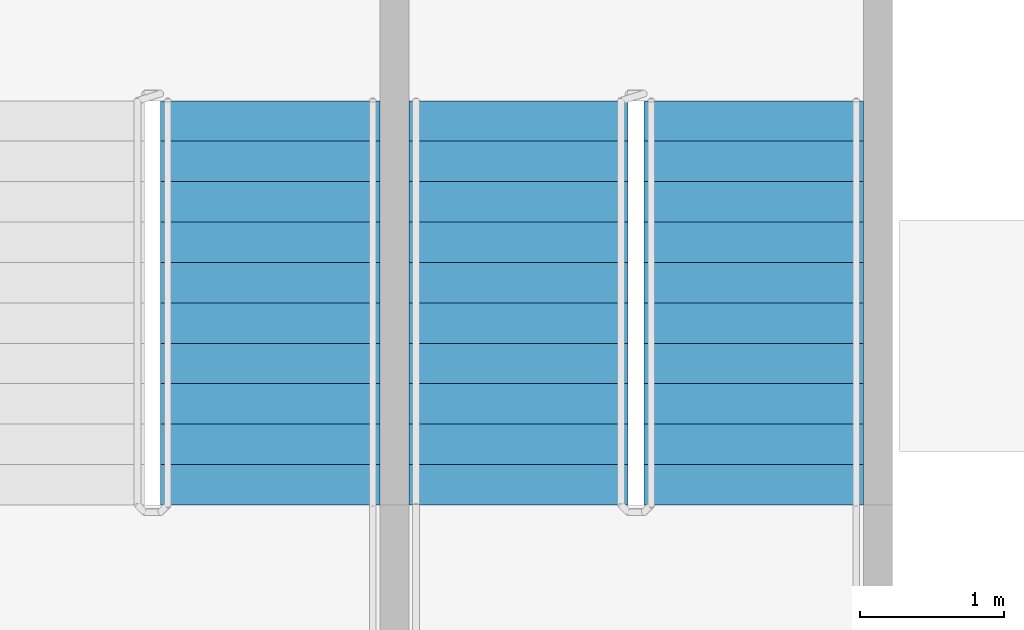
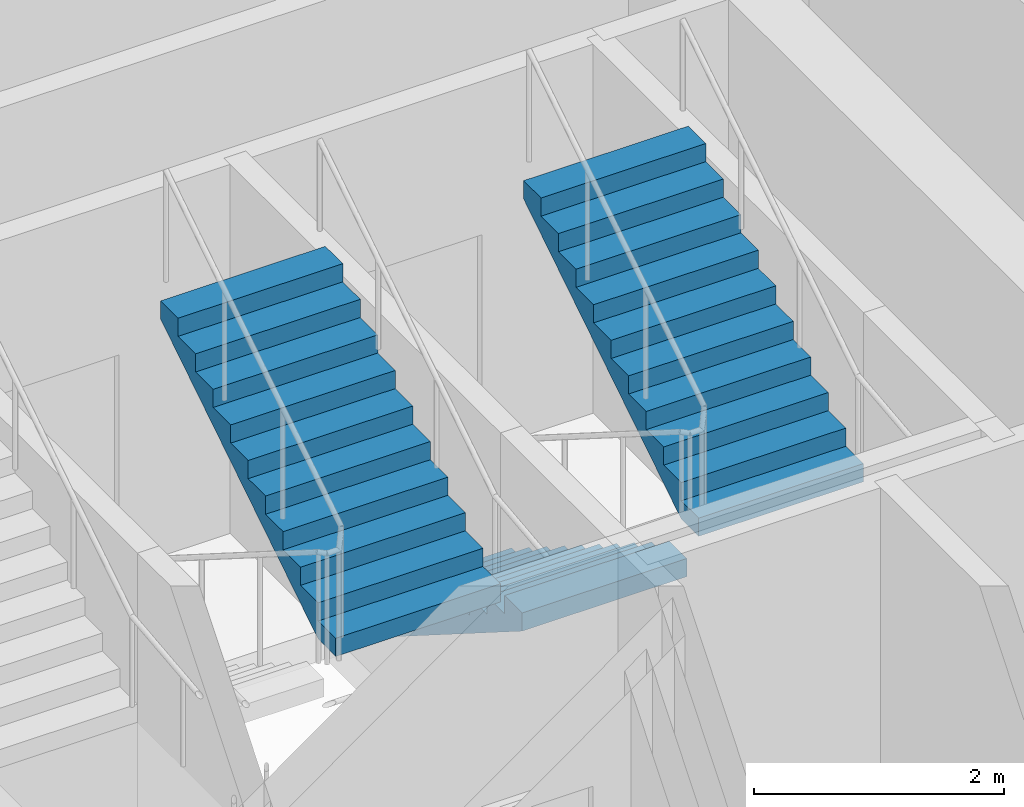
# One storey, part 12 of 14: 3 stair flights, 2 elements without a shape of their own.
"""IFC4 building model written with IfcOpenShell, lengths in metres."""

from ifc_helpers import new_model, si_unit, direction, frame, origin, place, context, subcontext, project, spatial, polyline, outline, extrude, material, type_object, element, aggregate, save


model = new_model("IFC4")

# Units and contexts
model_context = context("Model", 3, precision=1e-05, world=origin(), true_north=direction((0.0, 1.0)))
body_context = subcontext(model_context, "Body", "Model", "MODEL_VIEW")
ifc_project = project(units=[si_unit("LENGTHUNIT", "METRE"), si_unit("AREAUNIT", "SQUARE_METRE"), si_unit("VOLUMEUNIT", "CUBIC_METRE"), si_unit("PLANEANGLEUNIT", "RADIAN"), si_unit("MASSUNIT", "GRAM", prefix="KILO")], contexts=[model_context])

# Site, building, storey
site_placement = place(None, origin())
site = spatial("IfcSite", under=ifc_project, at=site_placement, CompositionType="ELEMENT")
building_placement = place(site_placement, origin())
building = spatial("IfcBuilding", under=site, at=building_placement, Name="Tessera Arch", CompositionType="ELEMENT")
storey_placement = place(building_placement, frame((0.0, 0.0, 138.800048828125)))
storey = spatial("IfcBuildingStorey", under=building, at=storey_placement, Name="L32", CompositionType="ELEMENT", Elevation=138.800048828125)

# Stair, stair flight
ifc_material_1 = material(Name="Concrete C40/50", Category="concrete")
stair_type = type_object("IfcStairType", Name="Dogleg stair 1520", PredefinedType="HALF_TURN_STAIR", material=ifc_material_1)
stair_1_placement = place(storey_placement, origin())
stair_1 = element("IfcStair", 1, at=stair_1_placement, inside=storey, type_object=stair_type, Name="L32 S1b", PredefinedType="HALF_TURN_STAIR")
ifc_material_2 = material(Name="Concrete C40/50", Category="concrete")
stair_flight_type = type_object("IfcStairFlightType", Name="Stair flight 1520", PredefinedType="STRAIGHT", material=ifc_material_2)
stair_flight_1_placement = place(storey_placement, frame((42.43994140625, 40.780029296875, 1.949951171875), z_axis=(0.0, 0.0, 1.0), x_axis=(0.0, 1.0, 0.0)))
stair_flight_1 = element("IfcStairFlight", 2, at=stair_flight_1_placement, type_object=stair_flight_type, Name="S1b flight 2", NumberOfRisers=11, NumberOfTreads=10, PredefinedType="STRAIGHT", RiserHeight=0.177272727, TreadLength=0.28, context=body_context, shape_type="SweptSolid", body=[
    extrude(outline(polyline([(0.0, 0.0), (0.0, 0.17724609375), (0.280029296875, 0.17724609375), (0.280029296875, 0.3544921875), (0.56005859375, 0.3544921875), (0.56005859375, 0.53173828125), (0.840087890625, 0.53173828125), (0.840087890625, 0.708984375), (1.1201171875, 0.708984375), (1.1201171875, 0.886474609375), (1.39990234375, 0.886474609375), (1.39990234375, 1.063720703125), (1.679931640625, 1.063720703125), (1.679931640625, 1.240966796875), (1.9599609375, 1.240966796875), (1.9599609375, 1.418212890625), (2.239990234375, 1.418212890625), (2.239990234375, 1.595458984375), (2.52001953125, 1.595458984375), (2.52001953125, 1.772705078125), (2.800048828125, 1.772705078125), (2.800048828125, 1.949951171875), (2.800048828125, 1.59521484375), (0.2802734375, 0.0), (0.0, 0.0)])), frame((0.0, 0.760009765625, 0.0), z_axis=(0.0, -1.0, 0.0), x_axis=(1.0, 0.0, 0.0)), (0.0, 0.0, 1.0), 1.52001953125),
])
aggregate(stair_1, [stair_flight_1])

# Stair, stair flights
stair_2_placement = place(storey_placement, origin())
stair_2 = element("IfcStair", 3, at=stair_2_placement, inside=storey, type_object=stair_type, Name="L32 S1c", PredefinedType="HALF_TURN_STAIR")
stair_flight_2_placement = place(storey_placement, frame((44.159912109375, 43.580078125, 0.0), z_axis=(0.0, 0.0, 1.0), x_axis=(0.0, -1.0, 0.0)))
stair_flight_2 = element("IfcStairFlight", 4, at=stair_flight_2_placement, type_object=stair_flight_type, Name="S1c flight 1", NumberOfRisers=11, NumberOfTreads=10, PredefinedType="STRAIGHT", RiserHeight=0.177272727, TreadLength=0.28, context=body_context, shape_type="SweptSolid", body=[
    extrude(outline(polyline([(0.0, 0.0), (0.0, 0.17724609375), (0.280029296875, 0.17724609375), (0.280029296875, 0.3544921875), (0.56005859375, 0.3544921875), (0.56005859375, 0.53173828125), (0.840087890625, 0.53173828125), (0.840087890625, 0.708984375), (1.1201171875, 0.708984375), (1.1201171875, 0.886474609375), (1.39990234375, 0.886474609375), (1.39990234375, 1.063720703125), (1.679931640625, 1.063720703125), (1.679931640625, 1.240966796875), (1.9599609375, 1.240966796875), (1.9599609375, 1.418212890625), (2.239990234375, 1.418212890625), (2.239990234375, 1.595458984375), (2.52001953125, 1.595458984375), (2.52001953125, 1.772705078125), (2.800048828125, 1.772705078125), (2.800048828125, 1.949951171875), (2.800048828125, 1.59521484375), (0.2802734375, 0.0), (0.0, 0.0)])), frame((0.0, 0.760009765625, 0.0), z_axis=(0.0, -1.0, 0.0), x_axis=(1.0, 0.0, 0.0)), (0.0, 0.0, 1.0), 1.52001953125),
])
stair_flight_3_placement = place(storey_placement, frame((45.7900390625, 40.780029296875, 1.949951171875), z_axis=(0.0, 0.0, 1.0), x_axis=(0.0, 1.0, 0.0)))
stair_flight_3 = element("IfcStairFlight", 5, at=stair_flight_3_placement, type_object=stair_flight_type, Name="S1c flight 2", NumberOfRisers=11, NumberOfTreads=10, PredefinedType="STRAIGHT", RiserHeight=0.177272727, TreadLength=0.28, context=body_context, shape_type="SweptSolid", body=[
    extrude(outline(polyline([(0.0, 0.0), (0.0, 0.17724609375), (0.280029296875, 0.17724609375), (0.280029296875, 0.3544921875), (0.56005859375, 0.3544921875), (0.56005859375, 0.53173828125), (0.840087890625, 0.53173828125), (0.840087890625, 0.708984375), (1.1201171875, 0.708984375), (1.1201171875, 0.886474609375), (1.39990234375, 0.886474609375), (1.39990234375, 1.063720703125), (1.679931640625, 1.063720703125), (1.679931640625, 1.240966796875), (1.9599609375, 1.240966796875), (1.9599609375, 1.418212890625), (2.239990234375, 1.418212890625), (2.239990234375, 1.595458984375), (2.52001953125, 1.595458984375), (2.52001953125, 1.772705078125), (2.800048828125, 1.772705078125), (2.800048828125, 1.949951171875), (2.800048828125, 1.59521484375), (0.2802734375, 0.0), (0.0, 0.0)])), frame((0.0, 0.760009765625, 0.0), z_axis=(0.0, -1.0, 0.0), x_axis=(1.0, 0.0, 0.0)), (0.0, 0.0, 1.0), 1.52001953125),
])
aggregate(stair_2, [stair_flight_2, stair_flight_3])

save(model, "model.ifc")
